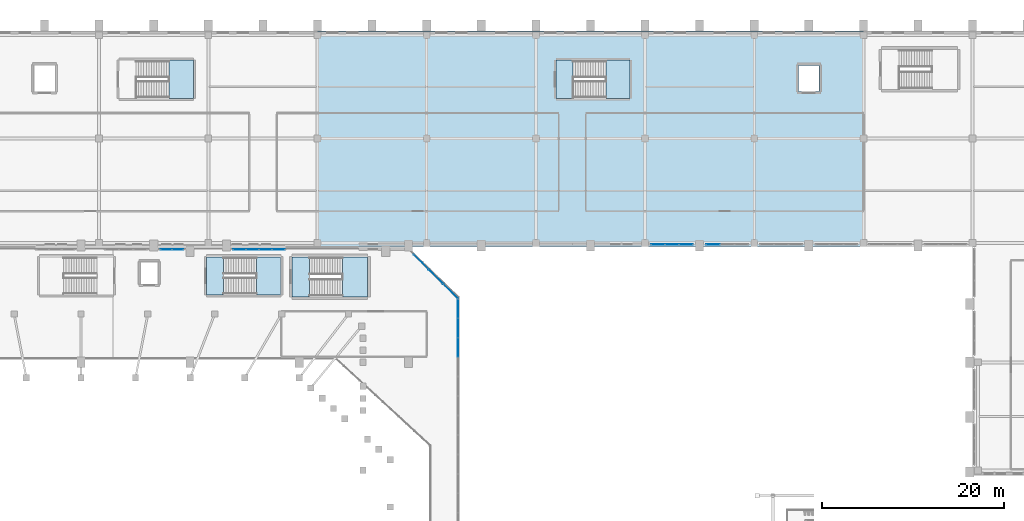
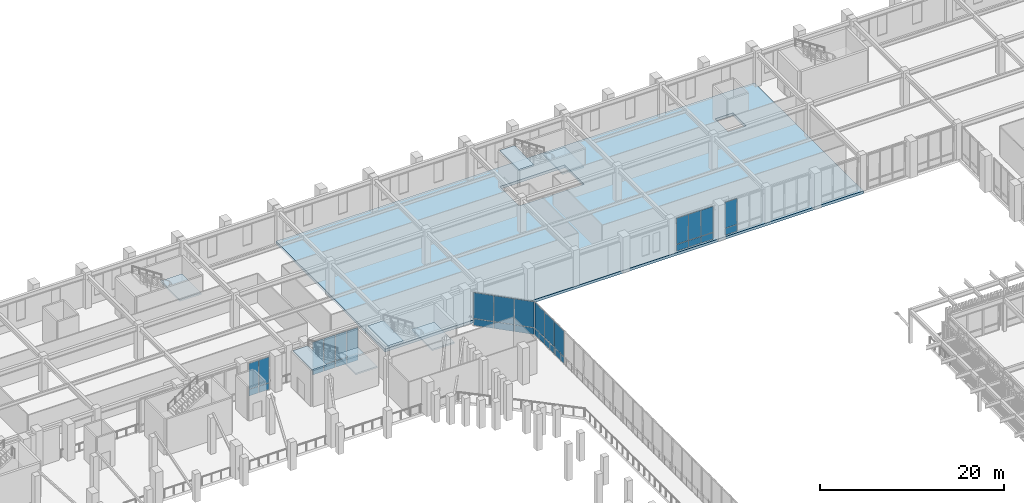
# One storey, part 73 of 126: 32 plates, 8 slabs, 10 elements without a shape of their own.
"""IFC4 building model written with IfcOpenShell, lengths in metres."""

from ifc_helpers import new_model, si_unit, derived_unit, direction, frame, origin, origin_2d, place, context, subcontext, project, spatial, polyline, rectangle, outline, extrude, material, layer, layer_set, type_object, element, aggregate, save


model = new_model("IFC4")

# Units and contexts
model_context = context("Model", 3, precision=1e-05, world=origin(), true_north=direction((0.0, 1.0)))
body_context = subcontext(model_context, "Body", "Model", "MODEL_VIEW")
ifc_project = project(units=[si_unit("LENGTHUNIT", "METRE"), si_unit("AREAUNIT", "SQUARE_METRE"), si_unit("VOLUMEUNIT", "CUBIC_METRE"), si_unit("PLANEANGLEUNIT", "RADIAN"), si_unit("MASSUNIT", "GRAM", prefix="KILO"), derived_unit("THERMALTRANSMITTANCEUNIT", [(si_unit("MASSUNIT", "GRAM", prefix="KILO"), 1), (si_unit("TIMEUNIT", "SECOND"), -3), (si_unit("THERMODYNAMICTEMPERATUREUNIT", "KELVIN"), -1)])], contexts=[model_context])

# Site, building, storey
site_placement = place(None, origin())
site = spatial("IfcSite", under=ifc_project, at=site_placement, CompositionType="ELEMENT")
building_placement = place(site_placement, origin())
building = spatial("IfcBuilding", under=site, at=building_placement, Name="Valcora Ridge Arena", CompositionType="ELEMENT")
storey_placement = place(building_placement, frame((0.0, 0.0, 11.39990234375)))
storey = spatial("IfcBuildingStorey", under=building, at=storey_placement, Name="L02", CompositionType="ELEMENT", Elevation=11.39990234375)

# Stair, slabs
ifc_material_1 = material(Name="Concrete C40/50", Category="concrete")
stair_type_1 = type_object("IfcStairType", Name="TY-STAIR-ES04-48", PredefinedType="HALF_TURN_STAIR", material=ifc_material_1)
stair_1_placement = place(storey_placement, origin())
stair_1 = element("IfcStair", 1, at=stair_1_placement, inside=storey, type_object=stair_type_1, Name="ES04-48 STR-ES-0015", PredefinedType="HALF_TURN_STAIR")
ifc_layer_1 = layer(ifc_material_1, 0.199951171875, Name="Concrete C40/50")
ifc_layer_set_1 = layer_set([ifc_layer_1], Name="Concrete C40/50")
slab_type_1 = type_object("IfcSlabType", Name="TY-LAND-ES04-48", PredefinedType="LANDING", material=ifc_layer_set_1)
slab_1_placement = place(storey_placement, frame((0.0, 0.0, 2.2001953125)))
slab_1 = element("IfcSlab", 2, at=slab_1_placement, type_object=slab_type_1, Name="ES04-48 landing 1", PredefinedType="LANDING", context=body_context, shape_type="SweptSolid", body=[
    extrude(outline(polyline([(77.280029296875, 103.001953125), (79.9580078125, 103.001953125), (79.9580078125, 107.197998046875), (77.280029296875, 107.197998046875), (77.280029296875, 103.001953125)])), origin(), (0.0, 0.0, 1.0), 0.199951171875),
])
slab_2_placement = place(storey_placement, frame((0.0, 0.0, 4.60009765625)))
slab_2 = element("IfcSlab", 3, at=slab_2_placement, type_object=slab_type_1, Name="ES04-48 landing 2", PredefinedType="LANDING", context=body_context, shape_type="SweptSolid", body=[
    extrude(outline(polyline([(71.802001953125, 103.001953125), (73.679931640625, 103.001953125), (73.679931640625, 107.197998046875), (71.802001953125, 107.197998046875), (71.802001953125, 103.001953125)])), origin(), (0.0, 0.0, 1.0), 0.199951171875),
])
aggregate(stair_1, [slab_1, slab_2])

# Stair, slab
stair_type_2 = type_object("IfcStairType", Name="TY-STAIR-ES09-48", PredefinedType="HALF_TURN_STAIR", material=ifc_material_1)
stair_2_placement = place(storey_placement, origin())
stair_2 = element("IfcStair", 4, at=stair_2_placement, inside=storey, type_object=stair_type_2, Name="ES09-48 STR-ES-0032", PredefinedType="HALF_TURN_STAIR")
ifc_layer_2 = layer(ifc_material_1, 0.199951171875, Name="Concrete C40/50")
ifc_layer_set_2 = layer_set([ifc_layer_2], Name="Concrete C40/50")
slab_type_2 = type_object("IfcSlabType", Name="TY-LAND-ES09-48", PredefinedType="LANDING", material=ifc_layer_set_2)
slab_3_placement = place(storey_placement, frame((0.0, 0.0, 2.2001953125)))
slab_3 = element("IfcSlab", 5, at=slab_3_placement, type_object=slab_type_2, Name="ES09-48 landing 1", PredefinedType="LANDING", context=body_context, shape_type="SweptSolid", body=[
    extrude(outline(polyline([(67.679931640625, 124.60205078125), (70.35791015625, 124.60205078125), (70.35791015625, 128.798095703125), (67.679931640625, 128.798095703125), (67.679931640625, 124.60205078125)])), origin(), (0.0, 0.0, 1.0), 0.199951171875),
])
aggregate(stair_2, [slab_3])

# Stair, slabs
stair_type_3 = type_object("IfcStairType", Name="TY-STAIR-ES10-48", PredefinedType="HALF_TURN_STAIR", material=ifc_material_1)
stair_3_placement = place(storey_placement, origin())
stair_3 = element("IfcStair", 6, at=stair_3_placement, inside=storey, type_object=stair_type_3, Name="ES10-48 STR-ES-0035", PredefinedType="HALF_TURN_STAIR")
ifc_layer_3 = layer(ifc_material_1, 0.199951171875, Name="Concrete C40/50")
ifc_layer_set_3 = layer_set([ifc_layer_3], Name="Concrete C40/50")
slab_type_3 = type_object("IfcSlabType", Name="TY-LAND-ES10-48", PredefinedType="LANDING", material=ifc_layer_set_3)
slab_4_placement = place(storey_placement, frame((0.0, 0.0, 2.2001953125)))
slab_4 = element("IfcSlab", 7, at=slab_4_placement, type_object=slab_type_3, Name="ES10-48 landing 1", PredefinedType="LANDING", context=body_context, shape_type="SweptSolid", body=[
    extrude(outline(polyline([(115.679931640625, 124.60205078125), (118.35791015625, 124.60205078125), (118.35791015625, 128.798095703125), (115.679931640625, 128.798095703125), (115.679931640625, 124.60205078125)])), origin(), (0.0, 0.0, 1.0), 0.199951171875),
])
slab_5_placement = place(storey_placement, frame((0.0, 0.0, 4.60009765625)))
slab_5 = element("IfcSlab", 8, at=slab_5_placement, type_object=slab_type_3, Name="ES10-48 landing 2", PredefinedType="LANDING", context=body_context, shape_type="SweptSolid", body=[
    extrude(outline(polyline([(110.201904296875, 124.60205078125), (112.080078125, 124.60205078125), (112.080078125, 128.798095703125), (110.201904296875, 128.798095703125), (110.201904296875, 124.60205078125)])), origin(), (0.0, 0.0, 1.0), 0.199951171875),
])
aggregate(stair_3, [slab_4, slab_5])

stair_type_4 = type_object("IfcStairType", Name="TY-STAIR-ST04-48", PredefinedType="HALF_TURN_STAIR", material=ifc_material_1)
stair_4_placement = place(storey_placement, origin())
stair_4 = element("IfcStair", 9, at=stair_4_placement, inside=storey, type_object=stair_type_4, Name="ST04-48 STR-CR-0021", PredefinedType="HALF_TURN_STAIR")
ifc_layer_4 = layer(ifc_material_1, 0.199951171875, Name="Concrete C40/50")
ifc_layer_set_4 = layer_set([ifc_layer_4], Name="Concrete C40/50")
slab_type_4 = type_object("IfcSlabType", Name="TY-LAND-ST04-48", PredefinedType="LANDING", material=ifc_layer_set_4)
slab_6_placement = place(storey_placement, frame((0.0, 0.0, 2.2001953125)))
slab_6 = element("IfcSlab", 10, at=slab_6_placement, type_object=slab_type_4, Name="ST04-48 landing 1", PredefinedType="LANDING", context=body_context, shape_type="SweptSolid", body=[
    extrude(outline(polyline([(86.72998046875, 102.802001953125), (89.51806640625, 102.802001953125), (89.51806640625, 107.197998046875), (86.72998046875, 107.197998046875), (86.72998046875, 102.802001953125)])), origin(), (0.0, 0.0, 1.0), 0.199951171875),
])
slab_7_placement = place(storey_placement, frame((0.0, 0.0, 4.60009765625)))
slab_7 = element("IfcSlab", 11, at=slab_7_placement, type_object=slab_type_4, Name="ST04-48 landing 2", PredefinedType="LANDING", context=body_context, shape_type="SweptSolid", body=[
    extrude(outline(polyline([(81.201904296875, 102.802001953125), (83.1298828125, 102.802001953125), (83.1298828125, 107.197998046875), (81.201904296875, 107.197998046875), (81.201904296875, 102.802001953125)])), origin(), (0.0, 0.0, 1.0), 0.199951171875),
])
aggregate(stair_4, [slab_6, slab_7])

# Curtain wall, plates
ifc_material_2 = material(Name="Anodised dark bronze architectural aluminium 6063-T6", Category="aluminium")
ifc_layer_5 = layer(ifc_material_2, 0.179931640625, Name="Anodised dark bronze architectural aluminium 6063-T6")
ifc_layer_set_5 = layer_set([ifc_layer_5], Name="Anodised dark bronze architectural aluminium 6063-T6")
curtain_wall_type_1 = type_object("IfcCurtainWallType", Name="TY-CURTAINWALL-CW-V1-GOTH-026X44", PredefinedType="NOTDEFINED", material=ifc_layer_set_5)
curtain_wall_1_placement = place(storey_placement, origin())
curtain_wall_1 = element("IfcCurtainWall", 12, at=curtain_wall_1_placement, inside=storey, type_object=curtain_wall_type_1, Name="CW-V1-GOTH-026X44 CW-0126", PredefinedType="NOTDEFINED")
ifc_material_3 = material(Name="Low-iron solar-control double glazing SHGC 0.28", Category="glass")
ifc_layer_6 = layer(ifc_material_3, 0.031982421875, Name="Low-iron solar-control double glazing SHGC 0.28")
ifc_layer_set_6 = layer_set([ifc_layer_6], Name="Low-iron solar-control double glazing SHGC 0.28")
plate_type_1 = type_object("IfcPlateType", Name="TY-PLT-CWP-1220X0860", PredefinedType="CURTAIN_PANEL", material=ifc_layer_set_6)
plate_1_placement = place(storey_placement, frame((67.360107421875, 108.0, 0.06005859375), z_axis=(0.0, 0.0, 1.0), x_axis=(1.0, 0.0, 0.0)))
plate_1 = element("IfcPlate", 13, at=plate_1_placement, type_object=plate_type_1, Name="CW-0126/P00-00", PredefinedType="CURTAIN_PANEL", context=body_context, shape_type="SweptSolid", body=[
    extrude(rectangle(XDim=1.219970703125, YDim=0.031982421875, at=origin_2d()), origin(), (0.0, 0.0, 1.0), 0.860107421875),
])
plate_2_placement = place(storey_placement, frame((68.639892578125, 108.0, 0.06005859375), z_axis=(0.0, 0.0, 1.0), x_axis=(1.0, 0.0, 0.0)))
plate_2 = element("IfcPlate", 14, at=plate_2_placement, type_object=plate_type_1, Name="CW-0126/P01-00", PredefinedType="CURTAIN_PANEL", context=body_context, shape_type="SweptSolid", body=[
    extrude(rectangle(XDim=1.219970703125, YDim=0.031982421875, at=origin_2d()), origin(), (0.0, 0.0, 1.0), 0.860107421875),
])
ifc_layer_7 = layer(ifc_material_3, 0.031982421875, Name="Low-iron solar-control double glazing SHGC 0.28")
ifc_layer_set_7 = layer_set([ifc_layer_7], Name="Low-iron solar-control double glazing SHGC 0.28")
plate_type_2 = type_object("IfcPlateType", Name="TY-PLT-CWP-1220X3410", PredefinedType="CURTAIN_PANEL", material=ifc_layer_set_7)
plate_3_placement = place(storey_placement, frame((67.360107421875, 108.0, 0.97998046875), z_axis=(0.0, 0.0, 1.0), x_axis=(1.0, 0.0, 0.0)))
plate_3 = element("IfcPlate", 15, at=plate_3_placement, type_object=plate_type_2, Name="CW-0126/P00-01", PredefinedType="CURTAIN_PANEL", context=body_context, shape_type="SweptSolid", body=[
    extrude(rectangle(XDim=1.219970703125, YDim=0.031982421875, at=origin_2d()), origin(), (0.0, 0.0, 1.0), 3.409912109375),
])
plate_4_placement = place(storey_placement, frame((68.639892578125, 108.0, 0.97998046875), z_axis=(0.0, 0.0, 1.0), x_axis=(1.0, 0.0, 0.0)))
plate_4 = element("IfcPlate", 16, at=plate_4_placement, type_object=plate_type_2, Name="CW-0126/P01-01", PredefinedType="CURTAIN_PANEL", context=body_context, shape_type="SweptSolid", body=[
    extrude(rectangle(XDim=1.219970703125, YDim=0.031982421875, at=origin_2d()), origin(), (0.0, 0.0, 1.0), 3.409912109375),
])
aggregate(curtain_wall_1, [plate_1, plate_3, plate_2, plate_4])

ifc_layer_8 = layer(ifc_material_2, 0.179931640625, Name="Anodised dark bronze architectural aluminium 6063-T6")
ifc_layer_set_8 = layer_set([ifc_layer_8], Name="Anodised dark bronze architectural aluminium 6063-T6")
curtain_wall_type_2 = type_object("IfcCurtainWallType", Name="TY-CURTAINWALL-CW-V1-GOTH-058X44", PredefinedType="NOTDEFINED", material=ifc_layer_set_8)
curtain_wall_2_placement = place(storey_placement, origin())
curtain_wall_2 = element("IfcCurtainWall", 17, at=curtain_wall_2_placement, inside=storey, type_object=curtain_wall_type_2, Name="CW-V1-GOTH-058X44 CW-0127", PredefinedType="NOTDEFINED")
ifc_layer_9 = layer(ifc_material_3, 0.031982421875, Name="Low-iron solar-control double glazing SHGC 0.28")
ifc_layer_set_9 = layer_set([ifc_layer_9], Name="Low-iron solar-control double glazing SHGC 0.28")
plate_type_3 = type_object("IfcPlateType", Name="TY-PLT-CWP-1350X0860", PredefinedType="CURTAIN_PANEL", material=ifc_layer_set_9)
plate_5_placement = place(storey_placement, frame((75.425048828125, 108.0, 0.06005859375), z_axis=(0.0, 0.0, 1.0), x_axis=(1.0, 0.0, 0.0)))
plate_5 = element("IfcPlate", 18, at=plate_5_placement, type_object=plate_type_3, Name="CW-0127/P00-00", PredefinedType="CURTAIN_PANEL", context=body_context, shape_type="SweptSolid", body=[
    extrude(rectangle(XDim=1.35009765625, YDim=0.031982421875, at=origin_2d()), origin(), (0.0, 0.0, 1.0), 0.860107421875),
])
plate_6_placement = place(storey_placement, frame((79.715087890625, 108.0, 0.06005859375), z_axis=(0.0, 0.0, 1.0), x_axis=(1.0, 0.0, 0.0)))
plate_6 = element("IfcPlate", 19, at=plate_6_placement, type_object=plate_type_3, Name="CW-0127/P03-00", PredefinedType="CURTAIN_PANEL", context=body_context, shape_type="SweptSolid", body=[
    extrude(rectangle(XDim=1.35009765625, YDim=0.031982421875, at=origin_2d()), origin(), (0.0, 0.0, 1.0), 0.860107421875),
])
ifc_layer_10 = layer(ifc_material_3, 0.031982421875, Name="Low-iron solar-control double glazing SHGC 0.28")
ifc_layer_set_10 = layer_set([ifc_layer_10], Name="Low-iron solar-control double glazing SHGC 0.28")
plate_type_4 = type_object("IfcPlateType", Name="TY-PLT-CWP-1350X3410", PredefinedType="CURTAIN_PANEL", material=ifc_layer_set_10)
plate_7_placement = place(storey_placement, frame((75.425048828125, 108.0, 0.97998046875), z_axis=(0.0, 0.0, 1.0), x_axis=(1.0, 0.0, 0.0)))
plate_7 = element("IfcPlate", 20, at=plate_7_placement, type_object=plate_type_4, Name="CW-0127/P00-01", PredefinedType="CURTAIN_PANEL", context=body_context, shape_type="SweptSolid", body=[
    extrude(rectangle(XDim=1.35009765625, YDim=0.031982421875, at=origin_2d()), origin(), (0.0, 0.0, 1.0), 3.409912109375),
])
plate_8_placement = place(storey_placement, frame((79.715087890625, 108.0, 0.97998046875), z_axis=(0.0, 0.0, 1.0), x_axis=(1.0, 0.0, 0.0)))
plate_8 = element("IfcPlate", 21, at=plate_8_placement, type_object=plate_type_4, Name="CW-0127/P03-01", PredefinedType="CURTAIN_PANEL", context=body_context, shape_type="SweptSolid", body=[
    extrude(rectangle(XDim=1.35009765625, YDim=0.031982421875, at=origin_2d()), origin(), (0.0, 0.0, 1.0), 3.409912109375),
])
ifc_layer_11 = layer(ifc_material_3, 0.031982421875, Name="Low-iron solar-control double glazing SHGC 0.28")
ifc_layer_set_11 = layer_set([ifc_layer_11], Name="Low-iron solar-control double glazing SHGC 0.28")
plate_type_5 = type_object("IfcPlateType", Name="TY-PLT-CWP-1380X0860", PredefinedType="CURTAIN_PANEL", material=ifc_layer_set_11)
plate_9_placement = place(storey_placement, frame((76.85009765625, 108.0, 0.06005859375), z_axis=(0.0, 0.0, 1.0), x_axis=(1.0, 0.0, 0.0)))
plate_9 = element("IfcPlate", 22, at=plate_9_placement, type_object=plate_type_5, Name="CW-0127/P01-00", PredefinedType="CURTAIN_PANEL", context=body_context, shape_type="SweptSolid", body=[
    extrude(rectangle(XDim=1.3798828125, YDim=0.031982421875, at=origin_2d()), origin(), (0.0, 0.0, 1.0), 0.860107421875),
])
plate_10_placement = place(storey_placement, frame((78.2900390625, 108.0, 0.06005859375), z_axis=(0.0, 0.0, 1.0), x_axis=(1.0, 0.0, 0.0)))
plate_10 = element("IfcPlate", 23, at=plate_10_placement, type_object=plate_type_5, Name="CW-0127/P02-00", PredefinedType="CURTAIN_PANEL", context=body_context, shape_type="SweptSolid", body=[
    extrude(rectangle(XDim=1.3798828125, YDim=0.031982421875, at=origin_2d()), origin(), (0.0, 0.0, 1.0), 0.860107421875),
])
ifc_layer_12 = layer(ifc_material_3, 0.031982421875, Name="Low-iron solar-control double glazing SHGC 0.28")
ifc_layer_set_12 = layer_set([ifc_layer_12], Name="Low-iron solar-control double glazing SHGC 0.28")
plate_type_6 = type_object("IfcPlateType", Name="TY-PLT-CWP-1380X3410", PredefinedType="CURTAIN_PANEL", material=ifc_layer_set_12)
plate_11_placement = place(storey_placement, frame((76.85009765625, 108.0, 0.97998046875), z_axis=(0.0, 0.0, 1.0), x_axis=(1.0, 0.0, 0.0)))
plate_11 = element("IfcPlate", 24, at=plate_11_placement, type_object=plate_type_6, Name="CW-0127/P01-01", PredefinedType="CURTAIN_PANEL", context=body_context, shape_type="SweptSolid", body=[
    extrude(rectangle(XDim=1.3798828125, YDim=0.031982421875, at=origin_2d()), origin(), (0.0, 0.0, 1.0), 3.409912109375),
])
plate_12_placement = place(storey_placement, frame((78.2900390625, 108.0, 0.97998046875), z_axis=(0.0, 0.0, 1.0), x_axis=(1.0, 0.0, 0.0)))
plate_12 = element("IfcPlate", 25, at=plate_12_placement, type_object=plate_type_6, Name="CW-0127/P02-01", PredefinedType="CURTAIN_PANEL", context=body_context, shape_type="SweptSolid", body=[
    extrude(rectangle(XDim=1.3798828125, YDim=0.031982421875, at=origin_2d()), origin(), (0.0, 0.0, 1.0), 3.409912109375),
])
aggregate(curtain_wall_2, [plate_5, plate_7, plate_9, plate_11, plate_10, plate_12, plate_6, plate_8])

ifc_layer_13 = layer(ifc_material_2, 0.14990234375, Name="Anodised dark bronze architectural aluminium 6063-T6")
ifc_layer_set_13 = layer_set([ifc_layer_13], Name="Anodised dark bronze architectural aluminium 6063-T6")
curtain_wall_type_3 = type_object("IfcCurtainWallType", Name="TY-CURTAINWALL-CW-V5-MED-047X44", PredefinedType="NOTDEFINED", material=ifc_layer_set_13)
curtain_wall_3_placement = place(storey_placement, origin())
curtain_wall_3 = element("IfcCurtainWall", 26, at=curtain_wall_3_placement, inside=storey, type_object=curtain_wall_type_3, Name="CW-V5-MED-047X44 CW-0326", PredefinedType="NOTDEFINED")
ifc_layer_14 = layer(ifc_material_3, 0.028076171875, Name="Low-iron solar-control double glazing SHGC 0.28")
ifc_layer_set_14 = layer_set([ifc_layer_14], Name="Low-iron solar-control double glazing SHGC 0.28")
plate_type_7 = type_object("IfcPlateType", Name="TY-PLT-CWP-1490X0875", PredefinedType="CURTAIN_PANEL", material=ifc_layer_set_14)
plate_13_placement = place(storey_placement, frame((121.409912109375, 108.550048828125, 0.050048828125), z_axis=(0.0, 0.0, 1.0), x_axis=(1.0, 0.0, 0.0)))
plate_13 = element("IfcPlate", 27, at=plate_13_placement, type_object=plate_type_7, Name="CW-0326/P00-00", PredefinedType="CURTAIN_PANEL", context=body_context, shape_type="SweptSolid", body=[
    extrude(rectangle(XDim=1.489990234375, YDim=0.028076171875, at=origin_2d()), origin(), (0.0, 0.0, 1.0), 0.875),
])
plate_14_placement = place(storey_placement, frame((124.514892578125, 108.550048828125, 0.050048828125), z_axis=(0.0, 0.0, 1.0), x_axis=(1.0, 0.0, 0.0)))
plate_14 = element("IfcPlate", 28, at=plate_14_placement, type_object=plate_type_7, Name="CW-0326/P02-00", PredefinedType="CURTAIN_PANEL", context=body_context, shape_type="SweptSolid", body=[
    extrude(rectangle(XDim=1.489990234375, YDim=0.028076171875, at=origin_2d()), origin(), (0.0, 0.0, 1.0), 0.875),
])

# Curtain wall, plate
curtain_wall_4_placement = place(storey_placement, origin())
curtain_wall_4 = element("IfcCurtainWall", 29, at=curtain_wall_4_placement, inside=storey, type_object=curtain_wall_type_3, Name="CW-V5-MED-047X44 CW-0327", PredefinedType="NOTDEFINED")
plate_15_placement = place(storey_placement, frame((127.485107421875, 108.550048828125, 0.050048828125), z_axis=(0.0, 0.0, 1.0), x_axis=(1.0, 0.0, 0.0)))
plate_15 = element("IfcPlate", 30, at=plate_15_placement, type_object=plate_type_7, Name="CW-0327/P00-00", PredefinedType="CURTAIN_PANEL", context=body_context, shape_type="SweptSolid", body=[
    extrude(rectangle(XDim=1.489990234375, YDim=0.028076171875, at=origin_2d()), origin(), (0.0, 0.0, 1.0), 0.875),
])

# Plate
ifc_layer_15 = layer(ifc_material_3, 0.028076171875, Name="Low-iron solar-control double glazing SHGC 0.28")
ifc_layer_set_15 = layer_set([ifc_layer_15], Name="Low-iron solar-control double glazing SHGC 0.28")
plate_type_8 = type_object("IfcPlateType", Name="TY-PLT-CWP-1490X3425", PredefinedType="CURTAIN_PANEL", material=ifc_layer_set_15)
plate_16_placement = place(storey_placement, frame((121.409912109375, 108.550048828125, 0.97509765625), z_axis=(0.0, 0.0, 1.0), x_axis=(1.0, 0.0, 0.0)))
plate_16 = element("IfcPlate", 31, at=plate_16_placement, type_object=plate_type_8, Name="CW-0326/P00-01", PredefinedType="CURTAIN_PANEL", context=body_context, shape_type="SweptSolid", body=[
    extrude(rectangle(XDim=1.489990234375, YDim=0.028076171875, at=origin_2d()), origin(), (0.0, 0.0, 1.0), 3.425048828125),
])

plate_17_placement = place(storey_placement, frame((124.514892578125, 108.550048828125, 0.97509765625), z_axis=(0.0, 0.0, 1.0), x_axis=(1.0, 0.0, 0.0)))
plate_17 = element("IfcPlate", 32, at=plate_17_placement, type_object=plate_type_8, Name="CW-0326/P02-01", PredefinedType="CURTAIN_PANEL", context=body_context, shape_type="SweptSolid", body=[
    extrude(rectangle(XDim=1.489990234375, YDim=0.028076171875, at=origin_2d()), origin(), (0.0, 0.0, 1.0), 3.425048828125),
])

plate_18_placement = place(storey_placement, frame((127.485107421875, 108.550048828125, 0.97509765625), z_axis=(0.0, 0.0, 1.0), x_axis=(1.0, 0.0, 0.0)))
plate_18 = element("IfcPlate", 33, at=plate_18_placement, type_object=plate_type_8, Name="CW-0327/P00-01", PredefinedType="CURTAIN_PANEL", context=body_context, shape_type="SweptSolid", body=[
    extrude(rectangle(XDim=1.489990234375, YDim=0.028076171875, at=origin_2d()), origin(), (0.0, 0.0, 1.0), 3.425048828125),
])

aggregate(curtain_wall_4, [plate_15, plate_18])

ifc_layer_16 = layer(ifc_material_3, 0.028076171875, Name="Low-iron solar-control double glazing SHGC 0.28")
ifc_layer_set_16 = layer_set([ifc_layer_16], Name="Low-iron solar-control double glazing SHGC 0.28")
plate_type_9 = type_object("IfcPlateType", Name="TY-PLT-CWP-1515X0875", PredefinedType="CURTAIN_PANEL", material=ifc_layer_set_16)
plate_19_placement = place(storey_placement, frame((122.96240234375, 108.550048828125, 0.050048828125), z_axis=(0.0, 0.0, 1.0), x_axis=(1.0, 0.0, 0.0)))
plate_19 = element("IfcPlate", 34, at=plate_19_placement, type_object=plate_type_9, Name="CW-0326/P01-00", PredefinedType="CURTAIN_PANEL", context=body_context, shape_type="SweptSolid", body=[
    extrude(rectangle(XDim=1.514892578125, YDim=0.028076171875, at=origin_2d()), origin(), (0.0, 0.0, 1.0), 0.875),
])

ifc_layer_17 = layer(ifc_material_3, 0.028076171875, Name="Low-iron solar-control double glazing SHGC 0.28")
ifc_layer_set_17 = layer_set([ifc_layer_17], Name="Low-iron solar-control double glazing SHGC 0.28")
plate_type_10 = type_object("IfcPlateType", Name="TY-PLT-CWP-1515X3425", PredefinedType="CURTAIN_PANEL", material=ifc_layer_set_17)
plate_20_placement = place(storey_placement, frame((122.96240234375, 108.550048828125, 0.97509765625), z_axis=(0.0, 0.0, 1.0), x_axis=(1.0, 0.0, 0.0)))
plate_20 = element("IfcPlate", 35, at=plate_20_placement, type_object=plate_type_10, Name="CW-0326/P01-01", PredefinedType="CURTAIN_PANEL", context=body_context, shape_type="SweptSolid", body=[
    extrude(rectangle(XDim=1.514892578125, YDim=0.028076171875, at=origin_2d()), origin(), (0.0, 0.0, 1.0), 3.425048828125),
])

aggregate(curtain_wall_3, [plate_13, plate_16, plate_19, plate_20, plate_14, plate_17])

# Curtain wall, plates
ifc_layer_18 = layer(ifc_material_2, 0.14990234375, Name="Anodised dark bronze architectural aluminium 6063-T6")
ifc_layer_set_18 = layer_set([ifc_layer_18], Name="Anodised dark bronze architectural aluminium 6063-T6")
curtain_wall_type_4 = type_object("IfcCurtainWallType", Name="TY-CURTAINWALL-CW-V1-EAST-769X44", PredefinedType="NOTDEFINED", material=ifc_layer_set_18)
curtain_wall_5_placement = place(storey_placement, origin())
curtain_wall_5 = element("IfcCurtainWall", 36, at=curtain_wall_5_placement, inside=storey, type_object=curtain_wall_type_4, Name="CW-V1-EAST-769X44 CW-0129", PredefinedType="NOTDEFINED")
ifc_layer_19 = layer(ifc_material_3, 0.028076171875, Name="Low-iron solar-control double glazing SHGC 0.28")
ifc_layer_set_19 = layer_set([ifc_layer_19], Name="Low-iron solar-control double glazing SHGC 0.28")
plate_type_11 = type_object("IfcPlateType", Name="TY-PLT-CWP-2063X0875", PredefinedType="CURTAIN_PANEL", material=ifc_layer_set_19)
plate_21_placement = place(storey_placement, frame((99.449951171875, 101.4912109375, 0.050048828125), z_axis=(0.0, 0.0, 1.0), x_axis=(0.0, 1.0, 0.0)))
plate_21 = element("IfcPlate", 37, at=plate_21_placement, type_object=plate_type_11, Name="CW-0129/P35-00", PredefinedType="CURTAIN_PANEL", context=body_context, shape_type="SweptSolid", body=[
    extrude(rectangle(XDim=2.06298828125, YDim=0.028076171875, at=origin_2d()), origin(), (0.0, 0.0, 1.0), 0.875),
])
ifc_layer_20 = layer(ifc_material_3, 0.028076171875, Name="Low-iron solar-control double glazing SHGC 0.28")
ifc_layer_set_20 = layer_set([ifc_layer_20], Name="Low-iron solar-control double glazing SHGC 0.28")
plate_type_12 = type_object("IfcPlateType", Name="TY-PLT-CWP-2063X3425", PredefinedType="CURTAIN_PANEL", material=ifc_layer_set_20)
plate_22_placement = place(storey_placement, frame((99.449951171875, 101.4912109375, 0.97509765625), z_axis=(0.0, 0.0, 1.0), x_axis=(0.0, 1.0, 0.0)))
plate_22 = element("IfcPlate", 38, at=plate_22_placement, type_object=plate_type_12, Name="CW-0129/P35-01", PredefinedType="CURTAIN_PANEL", context=body_context, shape_type="SweptSolid", body=[
    extrude(rectangle(XDim=2.06298828125, YDim=0.028076171875, at=origin_2d()), origin(), (0.0, 0.0, 1.0), 3.425048828125),
])
ifc_layer_21 = layer(ifc_material_3, 0.028076171875, Name="Low-iron solar-control double glazing SHGC 0.28")
ifc_layer_set_21 = layer_set([ifc_layer_21], Name="Low-iron solar-control double glazing SHGC 0.28")
plate_type_13 = type_object("IfcPlateType", Name="TY-PLT-CWP-2087X0875", PredefinedType="CURTAIN_PANEL", material=ifc_layer_set_21)
plate_23_placement = place(storey_placement, frame((99.449951171875, 97.229248046875, 0.050048828125), z_axis=(0.0, 0.0, 1.0), x_axis=(0.0, 1.0, 0.0)))
plate_23 = element("IfcPlate", 39, at=plate_23_placement, type_object=plate_type_13, Name="CW-0129/P33-00", PredefinedType="CURTAIN_PANEL", context=body_context, shape_type="SweptSolid", body=[
    extrude(rectangle(XDim=2.0869140625, YDim=0.028076171875, at=origin_2d()), origin(), (0.0, 0.0, 1.0), 0.875),
])
plate_24_placement = place(storey_placement, frame((99.449951171875, 99.3662109375, 0.050048828125), z_axis=(0.0, 0.0, 1.0), x_axis=(0.0, 1.0, 0.0)))
plate_24 = element("IfcPlate", 40, at=plate_24_placement, type_object=plate_type_13, Name="CW-0129/P34-00", PredefinedType="CURTAIN_PANEL", context=body_context, shape_type="SweptSolid", body=[
    extrude(rectangle(XDim=2.0869140625, YDim=0.028076171875, at=origin_2d()), origin(), (0.0, 0.0, 1.0), 0.875),
])
ifc_layer_22 = layer(ifc_material_3, 0.028076171875, Name="Low-iron solar-control double glazing SHGC 0.28")
ifc_layer_set_22 = layer_set([ifc_layer_22], Name="Low-iron solar-control double glazing SHGC 0.28")
plate_type_14 = type_object("IfcPlateType", Name="TY-PLT-CWP-2087X3425", PredefinedType="CURTAIN_PANEL", material=ifc_layer_set_22)
plate_25_placement = place(storey_placement, frame((99.449951171875, 97.229248046875, 0.97509765625), z_axis=(0.0, 0.0, 1.0), x_axis=(0.0, 1.0, 0.0)))
plate_25 = element("IfcPlate", 41, at=plate_25_placement, type_object=plate_type_14, Name="CW-0129/P33-01", PredefinedType="CURTAIN_PANEL", context=body_context, shape_type="SweptSolid", body=[
    extrude(rectangle(XDim=2.0869140625, YDim=0.028076171875, at=origin_2d()), origin(), (0.0, 0.0, 1.0), 3.425048828125),
])
plate_26_placement = place(storey_placement, frame((99.449951171875, 99.3662109375, 0.97509765625), z_axis=(0.0, 0.0, 1.0), x_axis=(0.0, 1.0, 0.0)))
plate_26 = element("IfcPlate", 42, at=plate_26_placement, type_object=plate_type_14, Name="CW-0129/P34-01", PredefinedType="CURTAIN_PANEL", context=body_context, shape_type="SweptSolid", body=[
    extrude(rectangle(XDim=2.0869140625, YDim=0.028076171875, at=origin_2d()), origin(), (0.0, 0.0, 1.0), 3.425048828125),
])
aggregate(curtain_wall_5, [plate_23, plate_25, plate_24, plate_26, plate_21, plate_22])

ifc_layer_23 = layer(ifc_material_2, 0.14990234375, Name="Anodised dark bronze architectural aluminium 6063-T6")
ifc_layer_set_23 = layer_set([ifc_layer_23], Name="Anodised dark bronze architectural aluminium 6063-T6")
curtain_wall_type_5 = type_object("IfcCurtainWallType", Name="TY-CURTAINWALL-CW-V1-EAST-069X44", PredefinedType="NOTDEFINED", material=ifc_layer_set_23)
curtain_wall_6_placement = place(storey_placement, origin())
curtain_wall_6 = element("IfcCurtainWall", 43, at=curtain_wall_6_placement, inside=storey, type_object=curtain_wall_type_5, Name="CW-V1-EAST-069X44 CW-0130", PredefinedType="NOTDEFINED")
ifc_layer_24 = layer(ifc_material_3, 0.028076171875, Name="Low-iron solar-control double glazing SHGC 0.28")
ifc_layer_set_24 = layer_set([ifc_layer_24], Name="Low-iron solar-control double glazing SHGC 0.28")
plate_type_15 = type_object("IfcPlateType", Name="TY-PLT-CWP-2227X0875", PredefinedType="CURTAIN_PANEL", material=ifc_layer_set_24)
plate_27_placement = place(storey_placement, frame((98.62548828125, 103.393310546875, 0.050048828125), z_axis=(0.0, 0.0, 1.0), x_axis=(-0.708552937678, 0.705657660986, 0.0)))
plate_27 = element("IfcPlate", 44, at=plate_27_placement, type_object=plate_type_15, Name="CW-0130/P00-00", PredefinedType="CURTAIN_PANEL", context=body_context, shape_type="SweptSolid", body=[
    extrude(rectangle(XDim=2.22705078125, YDim=0.028076171875, at=origin_2d()), origin(), (0.0, 0.0, 1.0), 0.875),
])
plate_28_placement = place(storey_placement, frame((95.381103515625, 106.62451171875, 0.050048828125), z_axis=(0.0, 0.0, 1.0), x_axis=(-0.708552937678, 0.705657660986, 0.0)))
plate_28 = element("IfcPlate", 45, at=plate_28_placement, type_object=plate_type_15, Name="CW-0130/P02-00", PredefinedType="CURTAIN_PANEL", context=body_context, shape_type="SweptSolid", body=[
    extrude(rectangle(XDim=2.22705078125, YDim=0.028076171875, at=origin_2d()), origin(), (0.0, 0.0, 1.0), 0.875),
])
ifc_layer_25 = layer(ifc_material_3, 0.028076171875, Name="Low-iron solar-control double glazing SHGC 0.28")
ifc_layer_set_25 = layer_set([ifc_layer_25], Name="Low-iron solar-control double glazing SHGC 0.28")
plate_type_16 = type_object("IfcPlateType", Name="TY-PLT-CWP-2227X3425", PredefinedType="CURTAIN_PANEL", material=ifc_layer_set_25)
plate_29_placement = place(storey_placement, frame((98.62548828125, 103.393310546875, 0.97509765625), z_axis=(0.0, 0.0, 1.0), x_axis=(-0.708552937678, 0.705657660986, 0.0)))
plate_29 = element("IfcPlate", 46, at=plate_29_placement, type_object=plate_type_16, Name="CW-0130/P00-01", PredefinedType="CURTAIN_PANEL", context=body_context, shape_type="SweptSolid", body=[
    extrude(rectangle(XDim=2.22705078125, YDim=0.028076171875, at=origin_2d()), origin(), (0.0, 0.0, 1.0), 3.425048828125),
])
plate_30_placement = place(storey_placement, frame((95.381103515625, 106.62451171875, 0.97509765625), z_axis=(0.0, 0.0, 1.0), x_axis=(-0.708552937678, 0.705657660986, 0.0)))
plate_30 = element("IfcPlate", 47, at=plate_30_placement, type_object=plate_type_16, Name="CW-0130/P02-01", PredefinedType="CURTAIN_PANEL", context=body_context, shape_type="SweptSolid", body=[
    extrude(rectangle(XDim=2.22705078125, YDim=0.028076171875, at=origin_2d()), origin(), (0.0, 0.0, 1.0), 3.425048828125),
])
ifc_layer_26 = layer(ifc_material_3, 0.028076171875, Name="Low-iron solar-control double glazing SHGC 0.28")
ifc_layer_set_26 = layer_set([ifc_layer_26], Name="Low-iron solar-control double glazing SHGC 0.28")
plate_type_17 = type_object("IfcPlateType", Name="TY-PLT-CWP-2252X0875", PredefinedType="CURTAIN_PANEL", material=ifc_layer_set_26)
plate_31_placement = place(storey_placement, frame((97.00341796875, 105.0087890625, 0.050048828125), z_axis=(0.0, 0.0, 1.0), x_axis=(-0.708552937678, 0.705657660986, 0.0)))
plate_31 = element("IfcPlate", 48, at=plate_31_placement, type_object=plate_type_17, Name="CW-0130/P01-00", PredefinedType="CURTAIN_PANEL", context=body_context, shape_type="SweptSolid", body=[
    extrude(rectangle(XDim=2.251953125, YDim=0.028076171875, at=origin_2d()), origin(), (0.0, 0.0, 1.0), 0.875),
])
ifc_layer_27 = layer(ifc_material_3, 0.028076171875, Name="Low-iron solar-control double glazing SHGC 0.28")
ifc_layer_set_27 = layer_set([ifc_layer_27], Name="Low-iron solar-control double glazing SHGC 0.28")
plate_type_18 = type_object("IfcPlateType", Name="TY-PLT-CWP-2252X3425", PredefinedType="CURTAIN_PANEL", material=ifc_layer_set_27)
plate_32_placement = place(storey_placement, frame((97.00341796875, 105.0087890625, 0.97509765625), z_axis=(0.0, 0.0, 1.0), x_axis=(-0.708552937678, 0.705657660986, 0.0)))
plate_32 = element("IfcPlate", 49, at=plate_32_placement, type_object=plate_type_18, Name="CW-0130/P01-01", PredefinedType="CURTAIN_PANEL", context=body_context, shape_type="SweptSolid", body=[
    extrude(rectangle(XDim=2.251953125, YDim=0.028076171875, at=origin_2d()), origin(), (0.0, 0.0, 1.0), 3.425048828125),
])
aggregate(curtain_wall_6, [plate_27, plate_29, plate_31, plate_32, plate_28, plate_30])

# Slab
ifc_layer_28 = layer(ifc_material_1, 0.360107421875, Name="Concrete C40/50")
ifc_layer_set_28 = layer_set([ifc_layer_28], Name="Concrete C40/50")
slab_type_5 = type_object("IfcSlabType", Name="TY-SLAB-SL-V5-360B-C", PredefinedType="FLOOR", material=ifc_layer_set_28)
slab_8_placement = place(storey_placement, frame((0.0, 0.0, -0.35986328125)))
element("IfcSlab", 50, at=slab_8_placement, inside=storey, type_object=slab_type_5, Name="SL-V5-360B-C SLB-0074", PredefinedType="FLOOR", context=body_context, shape_type="SweptSolid", body=[
    extrude(outline(polyline([(84.0, 132.0), (84.0, 108.35009765625), (144.0, 108.35009765625), (144.0, 132.0), (84.0, 132.0)]), holes=[polyline([(118.360107421875, 128.800048828125), (110.199951171875, 128.800048828125), (110.199951171875, 124.60009765625), (118.360107421875, 124.60009765625), (118.360107421875, 128.800048828125)]), polyline([(139.1201171875, 128.219970703125), (136.8798828125, 128.219970703125), (136.8798828125, 125.3798828125), (139.1201171875, 125.3798828125), (139.1201171875, 128.219970703125)])]), origin(), (0.0, 0.0, 1.0), 0.35986328125),
])

save(model, "model.ifc")
